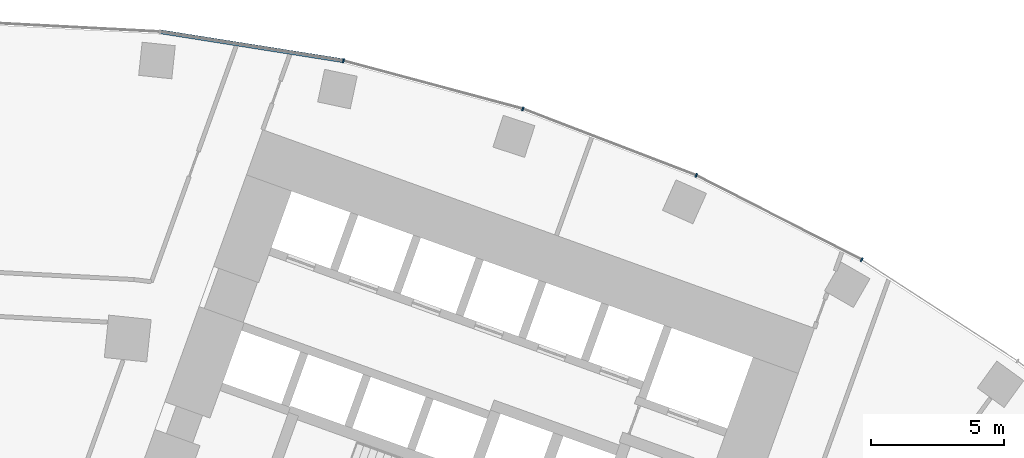
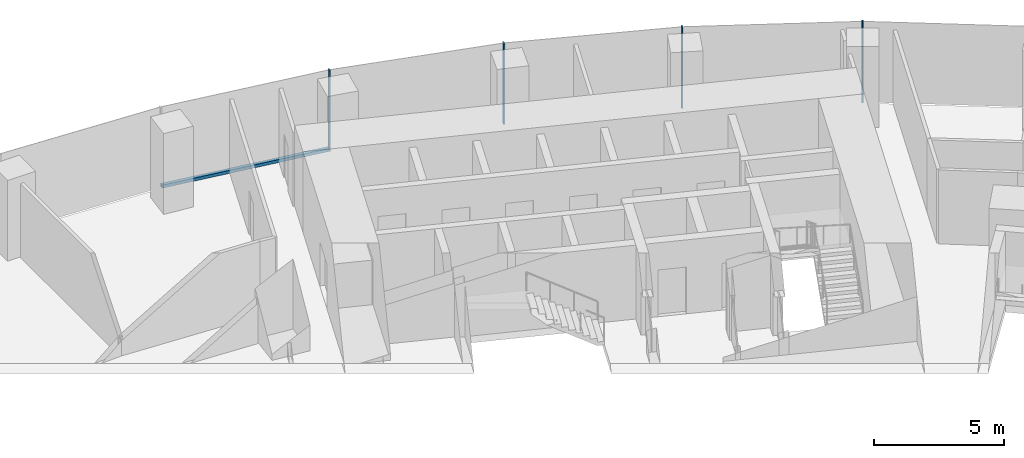
# One storey, part 11 of 21: 5 members, 1 element without a shape of its own.
"""IFC4 building model written with IfcOpenShell, lengths in metres."""

from ifc_helpers import new_model, si_unit, direction, frame, origin, origin_2d, place, context, subcontext, project, spatial, rectangle, extrude, material, layer, layer_set, material_profile, profile_set, type_object, element, aggregate, save


model = new_model("IFC4")

# Units and contexts
model_context = context("Model", 3, precision=1e-05, world=origin(), true_north=direction((0.0, 1.0)))
body_context = subcontext(model_context, "Body", "Model", "MODEL_VIEW")
ifc_project = project(units=[si_unit("LENGTHUNIT", "METRE"), si_unit("AREAUNIT", "SQUARE_METRE"), si_unit("VOLUMEUNIT", "CUBIC_METRE"), si_unit("PLANEANGLEUNIT", "RADIAN"), si_unit("MASSUNIT", "GRAM", prefix="KILO")], contexts=[model_context])

# Site, building, storey
site_placement = place(None, origin())
site = spatial("IfcSite", under=ifc_project, at=site_placement, CompositionType="ELEMENT")
building_placement = place(site_placement, origin())
building = spatial("IfcBuilding", under=site, at=building_placement, Name="Stone Belt Terrace Tower", CompositionType="ELEMENT")
storey_placement = place(building_placement, frame((0.0, 0.0, 60.39990234375)))
storey = spatial("IfcBuildingStorey", under=building, at=storey_placement, Name="L14", CompositionType="ELEMENT", Elevation=60.39990234375)

# Curtain wall, members
ifc_material = material(Name="Aluminium 6063-T6 anodised frame", Category="aluminium")
ifc_layer = layer(ifc_material, 0.14990234375)
ifc_layer_set = layer_set([ifc_layer], Name="CW-A unitised convex-face curtain wall")
curtain_wall_type = type_object("IfcCurtainWallType", Name="CW-A unitised convex-face curtain wall", PredefinedType="NOTDEFINED", material=ifc_layer_set)
curtain_wall_placement = place(storey_placement, origin())
curtain_wall = element("IfcCurtainWall", 1, at=curtain_wall_placement, inside=storey, type_object=curtain_wall_type, Name="CW-A convex face L14", PredefinedType="NOTDEFINED")
ifc_material_profile_1 = material_profile(ifc_material, rectangle(XDim=0.14990234375, YDim=0.06005859375, at=origin_2d()), Name="Aluminium 6063-T6 60x150")
ifc_profile_set_1 = profile_set([ifc_material_profile_1], Name="Aluminium 6063-T6 anodised frame")
member_type_1 = type_object("IfcMemberType", Name="CW-A mullion 60 x 150", PredefinedType="MULLION", material=ifc_profile_set_1)
member_1_placement = place(storey_placement, frame((33.28759765625, 57.65576171875, 0.0), z_axis=(0.0, 0.0, 1.0), x_axis=(-0.5, -0.866025403784, 0.0)))
member_1 = element("IfcMember", 2, at=member_1_placement, type_object=member_type_1, Name="CW-A mullion 4", PredefinedType="MULLION", context=body_context, shape_type="SweptSolid", body=[
    extrude(rectangle(XDim=0.14990234375, YDim=0.06005859375, at=origin_2d()), origin(), (0.0, 0.0, 1.0), 3.800048828125),
])
member_2_placement = place(storey_placement, frame((27.07861328125, 60.8193359375, 0.0), z_axis=(0.0, 0.0, 1.0), x_axis=(-0.406736643076, -0.913545457643, 0.0)))
member_2 = element("IfcMember", 3, at=member_2_placement, type_object=member_type_1, Name="CW-A mullion 5", PredefinedType="MULLION", context=body_context, shape_type="SweptSolid", body=[
    extrude(rectangle(XDim=0.14990234375, YDim=0.06005859375, at=origin_2d()), origin(), (0.0, 0.0, 1.0), 3.800048828125),
])
member_3_placement = place(storey_placement, frame((20.57275390625, 63.316650390625, 0.0), z_axis=(0.0, 0.0, 1.0), x_axis=(-0.309016994375, -0.951056516295, 0.0)))
member_3 = element("IfcMember", 4, at=member_3_placement, type_object=member_type_1, Name="CW-A mullion 6", PredefinedType="MULLION", context=body_context, shape_type="SweptSolid", body=[
    extrude(rectangle(XDim=0.14990234375, YDim=0.06005859375, at=origin_2d()), origin(), (0.0, 0.0, 1.0), 3.800048828125),
])
member_4_placement = place(storey_placement, frame((13.841796875, 65.120361328125, 0.0), z_axis=(0.0, 0.0, 1.0), x_axis=(-0.207911690818, -0.978147600734, 0.0)))
member_4 = element("IfcMember", 5, at=member_4_placement, type_object=member_type_1, Name="CW-A mullion 7", PredefinedType="MULLION", context=body_context, shape_type="SweptSolid", body=[
    extrude(rectangle(XDim=0.14990234375, YDim=0.06005859375, at=origin_2d()), origin(), (0.0, 0.0, 1.0), 3.800048828125),
])
ifc_material_profile_2 = material_profile(ifc_material, rectangle(XDim=0.14990234375, YDim=0.139892578125, at=origin_2d()), Name="Aluminium 6063-T6 150x140")
ifc_profile_set_2 = profile_set([ifc_material_profile_2], Name="Aluminium 6063-T6 anodised frame")
member_type_2 = type_object("IfcMemberType", Name="CW-A transom 140 x 150", PredefinedType="USERDEFINED", material=ifc_profile_set_2)
member_5_placement = place(storey_placement, frame((13.808349609375, 65.12548828125, 0.070068359375), z_axis=(-0.987687120531, 0.156442168027, 0.0), x_axis=(-0.156442168027, -0.987687120531, 0.0)))
member_5 = element("IfcMember", 6, at=member_5_placement, type_object=member_type_2, Name="CW-A transom 7.1", ObjectType="TRANSOM", PredefinedType="USERDEFINED", context=body_context, shape_type="SweptSolid", body=[
    extrude(rectangle(XDim=0.14990234375, YDim=0.139892578125, at=origin_2d()), origin(), (0.0, 0.0, 1.0), 6.90087890625),
])
aggregate(curtain_wall, [member_1, member_2, member_3, member_4, member_5])

save(model, "model.ifc")
